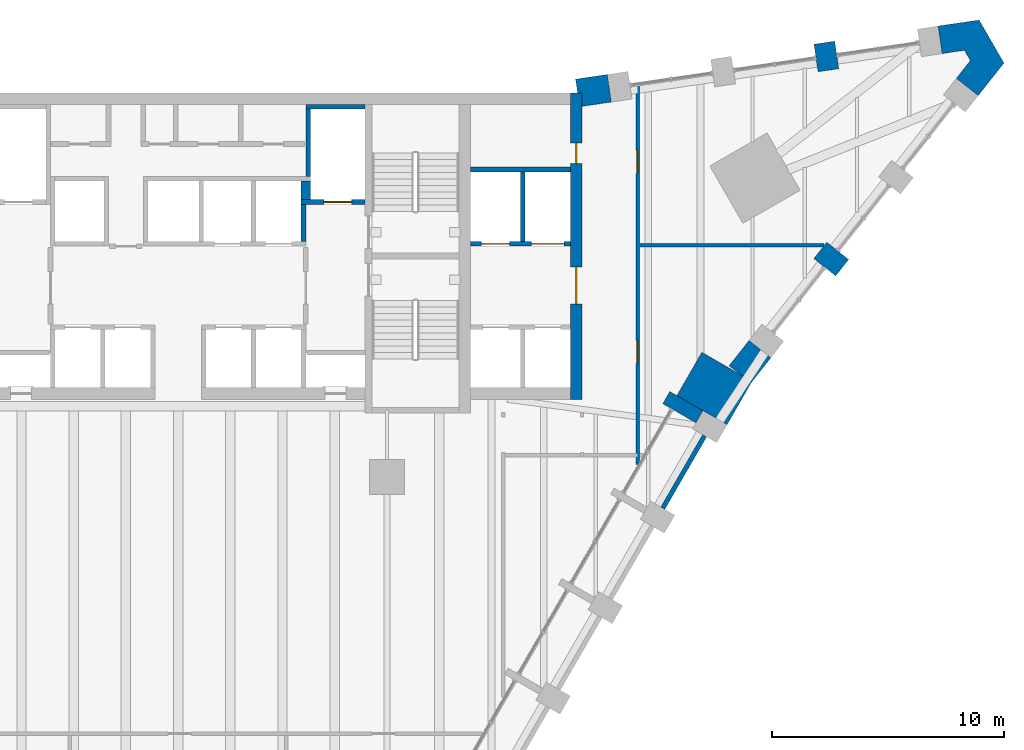
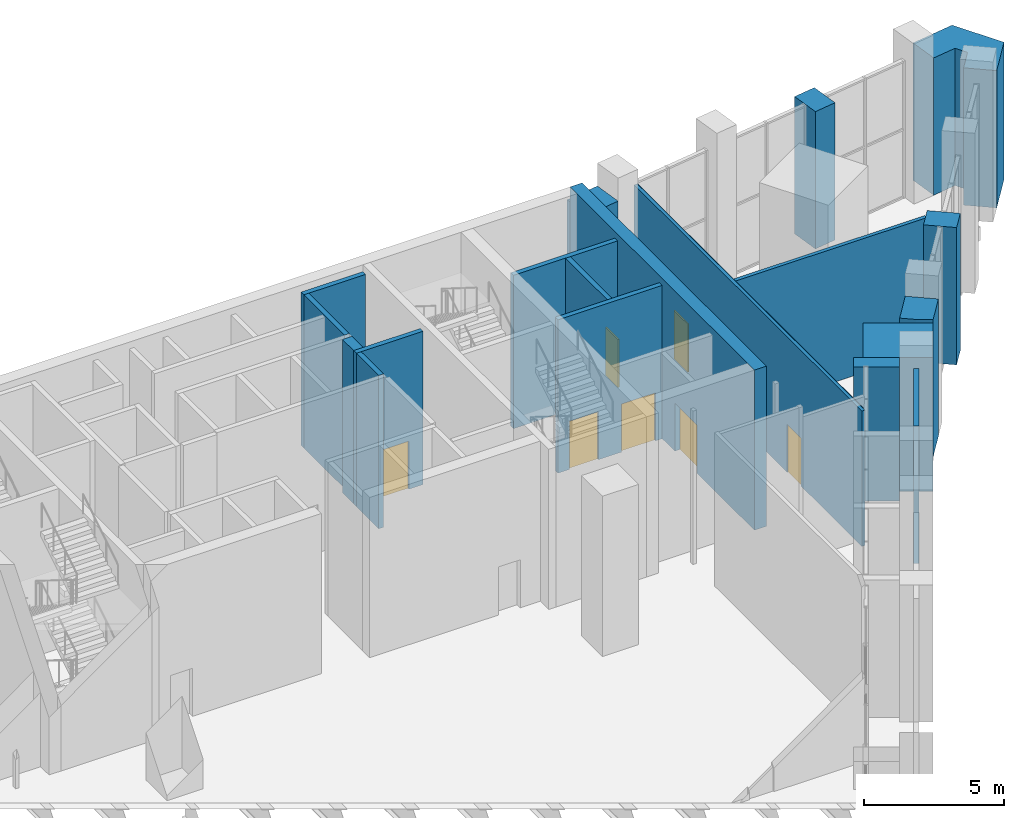
# One storey, part 14 of 17: 20 walls, 7 doors, 7 openings.
"""IFC4 building model written with IfcOpenShell, lengths in metres."""

from ifc_helpers import new_model, si_unit, direction, frame, frame_2d, origin, place, context, subcontext, project, spatial, polyline, rectangle, outline, extrude, material, layer, layer_set, type_object, element, fill, save


model = new_model("IFC4")

# Units and contexts
model_context = context("Model", 3, precision=1e-05, world=origin(), true_north=direction((0.0, 1.0)))
body_context = subcontext(model_context, "Body", "Model", "MODEL_VIEW")
ifc_project = project(units=[si_unit("LENGTHUNIT", "METRE"), si_unit("AREAUNIT", "SQUARE_METRE"), si_unit("VOLUMEUNIT", "CUBIC_METRE"), si_unit("PLANEANGLEUNIT", "RADIAN"), si_unit("MASSUNIT", "GRAM", prefix="KILO")], contexts=[model_context])

# Site, building, storey
site_placement = place(None, origin())
site = spatial("IfcSite", under=ifc_project, at=site_placement, CompositionType="ELEMENT")
building_placement = place(site_placement, origin())
building = spatial("IfcBuilding", under=site, at=building_placement, Name="Calabash Gate Tower", CompositionType="ELEMENT")
storey_placement = place(building_placement, frame((0.0, 0.0, 132.60009765625)))
storey = spatial("IfcBuildingStorey", under=building, at=storey_placement, Name="L31", CompositionType="ELEMENT", Elevation=132.60009765625)

# Walls
ifc_material_1 = material(Name="Terracotta brick masonry, exposed face", Category="masonry")
ifc_layer_1 = layer(ifc_material_1, 2.5)
ifc_layer_set_1 = layer_set([ifc_layer_1], Name="Brick corner mass wall 2500")
wall_type_1 = type_object("IfcWallType", Name="Brick corner mass wall 2500", PredefinedType="SOLIDWALL", material=ifc_layer_set_1)
wall_1_placement = place(storey_placement, origin())
element("IfcWall", 1, at=wall_1_placement, inside=storey, type_object=wall_type_1, Name="Brick corner pier L31 2", PredefinedType="SOLIDWALL", context=body_context, shape_type="SweptSolid", body=[
    extrude(outline(polyline([(22.564697265625, 7.878173828125), (21.486083984375, 6.01025390625), (22.612060546875, 5.360107421875), (22.6123046875, 5.360595703125), (23.651611328125, 4.7607421875), (24.729736328125, 6.628173828125), (22.564697265625, 7.878173828125)])), origin(), (0.0, 0.0, 1.0), 5.85400390625),
])
ifc_material_2 = material(Name="Terracotta brick masonry, exposed face", Category="masonry")
ifc_layer_2 = layer(ifc_material_2, 1.199951171875)
ifc_layer_set_2 = layer_set([ifc_layer_2], Name="Brick end wall 1200")
wall_type_2 = type_object("IfcWallType", Name="Brick end wall 1200", PredefinedType="SOLIDWALL", material=ifc_layer_set_2)
wall_2_placement = place(storey_placement, frame((28.6083984375, 11.5224609375, 0.0), z_axis=(0.0, 0.0, 1.0), x_axis=(-0.784408686564, 0.620244316736, 0.0)))
element("IfcWall", 2, at=wall_2_placement, inside=storey, type_object=wall_type_2, Name="Brick pier L31 wedge3.1", PredefinedType="SOLIDWALL", context=body_context, shape_type="SweptSolid", body=[
    extrude(rectangle(XDim=1.2001953125, YDim=0.89990234375, at=frame_2d((0.60009765625, 0.0))), origin(), (0.0, 0.0, 1.0), 6.0),
])
wall_3_placement = place(storey_placement, frame((27.84033203125, 21.217041015625, 0.0), z_axis=(0.0, 0.0, 1.0), x_axis=(0.145066385332, -0.989421924078, 0.0)))
element("IfcWall", 3, at=wall_3_placement, inside=storey, type_object=wall_type_2, Name="Brick pier L31 wedge5.1", PredefinedType="SOLIDWALL", context=body_context, shape_type="SweptSolid", body=[
    extrude(rectangle(XDim=1.199951171875, YDim=0.89990234375, at=frame_2d((0.60009765625, 0.0))), origin(), (0.0, 0.0, 1.0), 6.0),
])
wall_4_placement = place(storey_placement, origin())
element("IfcWall", 4, at=wall_4_placement, inside=storey, type_object=wall_type_2, Name="Brick end wall L31 1", PredefinedType="SOLIDWALL", context=body_context, shape_type="SweptSolid", body=[
    extrude(outline(polyline([(24.5966796875, 8.38427734375), (23.739501953125, 7.30029296875), (24.2099609375, 6.92822265625), (24.729736328125, 6.628173828125), (24.707763671875, 6.59033203125), (25.537841796875, 7.639892578125), (24.5966796875, 8.38427734375)])), origin(), (0.0, 0.0, 1.0), 6.0),
])
wall_5_placement = place(storey_placement, origin())
element("IfcWall", 5, at=wall_5_placement, inside=storey, type_object=wall_type_2, Name="Brick end wall L31 2", PredefinedType="SOLIDWALL", context=body_context, shape_type="SweptSolid", body=[
    extrude(outline(polyline([(34.13330078125, 20.443359375), (33.52880859375, 19.678955078125), (34.47021484375, 18.9345703125), (35.579833984375, 20.337890625), (34.50830078125, 22.1943359375), (32.73828125, 21.934814453125), (32.912109375, 20.74755859375), (33.876220703125, 20.888916015625), (34.13330078125, 20.443359375)])), origin(), (0.0, 0.0, 1.0), 6.0),
])
wall_6_placement = place(storey_placement, origin())
element("IfcWall", 6, at=wall_6_placement, inside=storey, type_object=wall_type_2, Name="Brick end wall L31 3", PredefinedType="SOLIDWALL", context=body_context, shape_type="SweptSolid", body=[
    extrude(outline(polyline([(17.123046875, 19.646240234375), (17.2099609375, 19.052490234375), (17.39990234375, 19.052490234375), (17.39990234375, 18.473876953125), (18.664306640625, 18.6591796875), (18.490234375, 19.8466796875), (17.123046875, 19.646240234375)])), origin(), (0.0, 0.0, 1.0), 6.0),
])
ifc_material_3 = material(Name="Terracotta brick masonry, exposed face", Category="masonry")
ifc_layer_3 = layer(ifc_material_3, 0.300048828125)
ifc_layer_set_3 = layer_set([ifc_layer_3], Name="Brick loggia cheek wall 300")
wall_type_3 = type_object("IfcWallType", Name="Brick loggia cheek wall 300", PredefinedType="SOLIDWALL", material=ifc_layer_set_3)
wall_7_placement = place(storey_placement, frame((21.032958984375, 5.92529296875, 0.0), z_axis=(0.0, 0.0, 1.0), x_axis=(0.866040211805, -0.499974350878, 0.0)))
element("IfcWall", 7, at=wall_7_placement, inside=storey, type_object=wall_type_3, Name="Loggia cheek L31 SE2.8", PredefinedType="SOLIDWALL", context=body_context, shape_type="SweptSolid", body=[
    extrude(rectangle(XDim=1.64990234375, YDim=0.60009765625, at=frame_2d((0.824951171875, 0.0))), origin(), (0.0, 0.0, 1.0), 5.85400390625),
])

# Wall, openings, doors
ifc_material_4 = material(Name="Concrete C80/95", Category="concrete")
ifc_layer_4 = layer(ifc_material_4, 0.5)
ifc_layer_set_4 = layer_set([ifc_layer_4], Name="Core wall 500 Concrete C80/95")
wall_type_4 = type_object("IfcWallType", Name="Core wall 500 Concrete C80/95", PredefinedType="SHEAR", material=ifc_layer_set_4)
wall_8_placement = place(storey_placement, frame((17.14990234375, 5.8525390625, 0.0), z_axis=(0.0, 0.0, 1.0), x_axis=(0.0, 1.0, 0.0)))
wall_8 = element("IfcWall", 8, at=wall_8_placement, inside=storey, type_object=wall_type_4, Name="Core wall Z2-ENDE L31", PredefinedType="SHEAR", context=body_context, shape_type="SweptSolid", body=[
    extrude(rectangle(XDim=13.199951171875, YDim=0.5, at=frame_2d((6.60009765625, 0.0))), origin(), (0.0, 0.0, 1.0), 7.0),
])
opening_1_placement = place(wall_8_placement, frame((4.10009765625, 0.0, 0.0)))
opening_1 = element("IfcOpeningElement", 9, at=opening_1_placement, cuts=wall_8, Name="Opening L31-016", PredefinedType="OPENING", context=body_context, shape_type="SweptSolid", body=[
    extrude(rectangle(XDim=1.60009765625, YDim=2.10009765625, at=frame_2d((0.800048828125, 1.050048828125))), frame((0.0, 0.260009765625, 0.0), z_axis=(0.0, -1.0, 0.0), x_axis=(1.0, 0.0, 0.0)), (0.0, 0.0, 1.0), 0.52001953125),
])
opening_2_placement = place(wall_8_placement, frame((10.14990234375, 0.0, 0.0)))
opening_2 = element("IfcOpeningElement", 10, at=opening_2_placement, cuts=wall_8, Name="Opening L31-017", PredefinedType="OPENING", context=body_context, shape_type="SweptSolid", body=[
    extrude(rectangle(XDim=0.89990234375, YDim=2.10009765625, at=frame_2d((0.449951171875, 1.050048828125))), frame((0.0, 0.260009765625, 0.0), z_axis=(0.0, -1.0, 0.0), x_axis=(1.0, 0.0, 0.0)), (0.0, 0.0, 1.0), 0.52001953125),
])
ifc_material_5 = material(Name="Steel fire door set with fire-resisting glazing", Category="steel")
door_type_1 = type_object("IfcDoorType", Name="Double fire door D08 1600x2100 FD60", OperationType="DOUBLE_DOOR_SINGLE_SWING", PredefinedType="DOOR", material=ifc_material_5)
door_1_placement = place(opening_1_placement, origin())
door_1 = element("IfcDoor", 11, at=door_1_placement, inside=storey, type_object=door_type_1, Name="Low-rise Lift Lobby E door", OperationType="DOUBLE_DOOR_SINGLE_SWING", OverallHeight=2.10009765625, OverallWidth=1.60009765625, PredefinedType="DOOR", context=body_context, shape_type="SweptSolid", body=[
    extrude(rectangle(XDim=1.60009765625, YDim=2.10009765625, at=frame_2d((0.800048828125, 1.050048828125))), frame((0.0, 0.02490234375, 0.0), z_axis=(0.0, -1.0, 0.0), x_axis=(1.0, 0.0, 0.0)), (0.0, 0.0, 1.0), 0.050048828125),
])
fill(opening_1, door_1)
ifc_material_6 = material(Name="Steel fire door set with fire-resisting glazing", Category="steel")
door_type_2 = type_object("IfcDoorType", Name="Fire door D06 900x2100 FD60", OperationType="NOTDEFINED", PredefinedType="DOOR", material=ifc_material_6)
door_2_placement = place(opening_2_placement, origin())
door_2 = element("IfcDoor", 12, at=door_2_placement, inside=storey, type_object=door_type_2, Name="Meter Room door", OperationType="SINGLE_SWING_LEFT", OverallHeight=2.10009765625, OverallWidth=0.89990234375, PredefinedType="DOOR", context=body_context, shape_type="SweptSolid", body=[
    extrude(rectangle(XDim=0.89990234375, YDim=2.10009765625, at=frame_2d((0.449951171875, 1.050048828125))), frame((0.0, 0.02490234375, 0.0), z_axis=(0.0, -1.0, 0.0), x_axis=(1.0, 0.0, 0.0)), (0.0, 0.0, 1.0), 0.050048828125),
])
fill(opening_2, door_2)

ifc_material_7 = material(Name="Gypsum board on steel studs, mineral wool", Category="steel")
ifc_layer_5 = layer(ifc_material_7, 0.14990234375)
ifc_layer_set_5 = layer_set([ifc_layer_5], Name="Partition 150 gypsum board")
wall_type_5 = type_object("IfcWallType", Name="Partition 150 gypsum board", PredefinedType="PARTITIONING", material=ifc_layer_set_5)
wall_9_placement = place(storey_placement, frame((19.789306640625, 3.05126953125, 0.0), z_axis=(0.0, 0.0, 1.0), x_axis=(0.0, 1.0, 0.0)))
wall_9 = element("IfcWall", 13, at=wall_9_placement, inside=storey, type_object=wall_type_5, Name="Partition", PredefinedType="PARTITIONING", context=body_context, shape_type="SweptSolid", body=[
    extrude(rectangle(XDim=16.29833984375, YDim=0.128662109375, at=frame_2d((8.149169921875, 0.0))), origin(), (0.0, 0.0, 1.0), 5.919921875),
])
opening_3_placement = place(wall_9_placement, frame((12.531005859375, 0.0, 0.0)))
opening_3 = element("IfcOpeningElement", 14, at=opening_3_placement, cuts=wall_9, Name="Opening L31-020", PredefinedType="OPENING", context=body_context, shape_type="SweptSolid", body=[
    extrude(rectangle(XDim=1.0, YDim=2.10009765625, at=frame_2d((0.5, 1.050048828125))), frame((0.0, 0.07421875, 0.0), z_axis=(0.0, -1.0, 0.0), x_axis=(1.0, 0.0, 0.0)), (0.0, 0.0, 1.0), 0.148681640625),
])
opening_4_placement = place(wall_9_placement, frame((4.345947265625, 0.0, 0.0)))
opening_4 = element("IfcOpeningElement", 15, at=opening_4_placement, cuts=wall_9, Name="Opening L31-021", PredefinedType="OPENING", context=body_context, shape_type="SweptSolid", body=[
    extrude(rectangle(XDim=1.0, YDim=2.10009765625, at=frame_2d((0.5, 1.050048828125))), frame((0.0, 0.07421875, 0.0), z_axis=(0.0, -1.0, 0.0), x_axis=(1.0, 0.0, 0.0)), (0.0, 0.0, 1.0), 0.148681640625),
])
ifc_material_8 = material(Name="Steel fire door set with fire-resisting glazing", Category="steel")
door_type_3 = type_object("IfcDoorType", Name="Fire door D11 1000x2100 FD60", OperationType="NOTDEFINED", PredefinedType="DOOR", material=ifc_material_8)
door_3_placement = place(opening_3_placement, origin())
door_3 = element("IfcDoor", 16, at=door_3_placement, inside=storey, type_object=door_type_3, Name="Reception Office door", OperationType="SINGLE_SWING_LEFT", OverallHeight=2.10009765625, OverallWidth=1.0, PredefinedType="DOOR", context=body_context, shape_type="SweptSolid", body=[
    extrude(rectangle(XDim=1.0, YDim=2.10009765625, at=frame_2d((0.5, 1.050048828125))), frame((0.0, 0.02490234375, 0.0), z_axis=(0.0, -1.0, 0.0), x_axis=(1.0, 0.0, 0.0)), (0.0, 0.0, 1.0), 0.050048828125),
])
fill(opening_3, door_3)
door_4_placement = place(opening_4_placement, origin())
door_4 = element("IfcDoor", 17, at=door_4_placement, inside=storey, type_object=door_type_3, Name="Staff Room door", OperationType="SINGLE_SWING_RIGHT", OverallHeight=2.10009765625, OverallWidth=1.0, PredefinedType="DOOR", context=body_context, shape_type="SweptSolid", body=[
    extrude(rectangle(XDim=1.0, YDim=2.10009765625, at=frame_2d((0.5, 1.050048828125))), frame((0.0, 0.02490234375, 0.0), z_axis=(0.0, -1.0, 0.0), x_axis=(1.0, 0.0, 0.0)), (0.0, 0.0, 1.0), 0.050048828125),
])
fill(opening_4, door_4)

# Walls
wall_10_placement = place(storey_placement, frame((19.8642578125, 3.18115234375, 0.0), z_axis=(0.0, 0.0, 1.0), x_axis=(0.0, 1.0, 0.0)))
element("IfcWall", 18, at=wall_10_placement, inside=storey, type_object=wall_type_5, Name="Partition", PredefinedType="PARTITIONING", context=body_context, shape_type="SweptSolid", body=[
    extrude(rectangle(XDim=16.179443359375, YDim=0.021484375, at=frame_2d((8.08984375, 0.0))), origin(), (0.0, 0.0, 1.0), 5.919921875),
])
wall_11_placement = place(storey_placement, frame((19.875, 12.4970703125, 0.0), z_axis=(0.0, 0.0, 1.0), x_axis=(1.0, 0.0, 0.0)))
element("IfcWall", 19, at=wall_11_placement, inside=storey, type_object=wall_type_5, Name="Partition", PredefinedType="PARTITIONING", context=body_context, shape_type="SweptSolid", body=[
    extrude(rectangle(XDim=7.948486328125, YDim=0.14990234375, at=frame_2d((3.97412109375, 0.0))), origin(), (0.0, 0.0, 1.0), 5.85400390625),
])

# Wall, openings, doors
ifc_material_9 = material(Name="Concrete C40/50", Category="concrete")
ifc_layer_6 = layer(ifc_material_9, 0.199951171875)
ifc_layer_set_6 = layer_set([ifc_layer_6], Name="Shaft wall 200 Concrete C40/50")
wall_type_6 = type_object("IfcWallType", Name="Shaft wall 200 Concrete C40/50", PredefinedType="SOLIDWALL", material=ifc_layer_set_6)
wall_12_placement = place(storey_placement, frame((12.60009765625, 12.552490234375, 0.0), z_axis=(0.0, 0.0, 1.0), x_axis=(1.0, 0.0, 0.0)))
wall_12 = element("IfcWall", 20, at=wall_12_placement, inside=storey, type_object=wall_type_6, Name="Shaft wall", PredefinedType="SOLIDWALL", context=body_context, shape_type="SweptSolid", body=[
    extrude(rectangle(XDim=4.2998046875, YDim=0.199951171875, at=frame_2d((2.14990234375, 0.0))), origin(), (0.0, 0.0, 1.0), 6.699951171875),
])
opening_5_placement = place(wall_12_placement, frame((0.47509765625, 0.0, 0.0)))
opening_5 = element("IfcOpeningElement", 21, at=opening_5_placement, cuts=wall_12, Name="Opening LD-SL1", PredefinedType="OPENING", context=body_context, shape_type="SweptSolid", body=[
    extrude(rectangle(XDim=1.199951171875, YDim=2.10009765625, at=frame_2d((0.60009765625, 1.050048828125))), frame((0.0, 0.10986328125, 0.0), z_axis=(0.0, -1.0, 0.0), x_axis=(1.0, 0.0, 0.0)), (0.0, 0.0, 1.0), 0.219970703125),
])
opening_6_placement = place(wall_12_placement, frame((2.625, 0.0, 0.0)))
opening_6 = element("IfcOpeningElement", 22, at=opening_6_placement, cuts=wall_12, Name="Opening LD-GL1", PredefinedType="OPENING", context=body_context, shape_type="SweptSolid", body=[
    extrude(rectangle(XDim=1.39990234375, YDim=2.10009765625, at=frame_2d((0.699951171875, 1.050048828125))), frame((0.0, 0.10986328125, 0.0), z_axis=(0.0, -1.0, 0.0), x_axis=(1.0, 0.0, 0.0)), (0.0, 0.0, 1.0), 0.219970703125),
])
ifc_material_10 = material(Name="Stainless steel sliding door leaves", Category="steel")
door_type_4 = type_object("IfcDoorType", Name="Lift landing door LS3 1200x2100 FD90", OperationType="DOUBLE_DOOR_SLIDING", PredefinedType="DOOR", material=ifc_material_10)
door_5_placement = place(opening_5_placement, origin())
door_5 = element("IfcDoor", 23, at=door_5_placement, inside=storey, type_object=door_type_4, Name="Lift landing door SL1", OperationType="DOUBLE_DOOR_SLIDING", OverallHeight=2.10009765625, OverallWidth=1.199951171875, PredefinedType="DOOR", context=body_context, shape_type="SweptSolid", body=[
    extrude(rectangle(XDim=1.199951171875, YDim=2.10009765625, at=frame_2d((0.60009765625, 1.050048828125))), frame((0.0, 0.02490234375, 0.0), z_axis=(0.0, -1.0, 0.0), x_axis=(1.0, 0.0, 0.0)), (0.0, 0.0, 1.0), 0.050048828125),
])
fill(opening_5, door_5)
ifc_material_11 = material(Name="Stainless steel sliding door leaves", Category="steel")
door_type_5 = type_object("IfcDoorType", Name="Lift landing door LS4 1400x2100 FD90", OperationType="DOUBLE_DOOR_SLIDING", PredefinedType="DOOR", material=ifc_material_11)
door_6_placement = place(opening_6_placement, origin())
door_6 = element("IfcDoor", 24, at=door_6_placement, inside=storey, type_object=door_type_5, Name="Lift landing door GL1", OperationType="DOUBLE_DOOR_SLIDING", OverallHeight=2.10009765625, OverallWidth=1.39990234375, PredefinedType="DOOR", context=body_context, shape_type="SweptSolid", body=[
    extrude(rectangle(XDim=1.39990234375, YDim=2.10009765625, at=frame_2d((0.699951171875, 1.050048828125))), frame((0.0, 0.02490234375, 0.0), z_axis=(0.0, -1.0, 0.0), x_axis=(1.0, 0.0, 0.0)), (0.0, 0.0, 1.0), 0.050048828125),
])
fill(opening_6, door_6)

# Walls
wall_13_placement = place(storey_placement, frame((5.39990234375, 12.652587890625, 0.0), z_axis=(0.0, 0.0, 1.0), x_axis=(0.0, 1.0, 0.0)))
element("IfcWall", 25, at=wall_13_placement, inside=storey, type_object=wall_type_6, Name="Shaft wall", PredefinedType="SOLIDWALL", context=body_context, shape_type="SweptSolid", body=[
    extrude(rectangle(XDim=1.60009765625, YDim=0.199951171875, at=frame_2d((0.800048828125, 0.0))), origin(), (0.0, 0.0, 1.0), 6.699951171875),
])
wall_14_placement = place(storey_placement, frame((14.85009765625, 12.652587890625, 0.0), z_axis=(0.0, 0.0, 1.0), x_axis=(0.0, 1.0, 0.0)))
element("IfcWall", 26, at=wall_14_placement, inside=storey, type_object=wall_type_6, Name="Shaft wall", PredefinedType="SOLIDWALL", context=body_context, shape_type="SweptSolid", body=[
    extrude(rectangle(XDim=3.0, YDim=0.199951171875, at=frame_2d((1.5, 0.0))), origin(), (0.0, 0.0, 1.0), 6.699951171875),
])

# Wall, opening, door
wall_15_placement = place(storey_placement, frame((5.300048828125, 14.3525390625, 0.0), z_axis=(0.0, 0.0, 1.0), x_axis=(1.0, 0.0, 0.0)))
wall_15 = element("IfcWall", 27, at=wall_15_placement, inside=storey, type_object=wall_type_6, Name="Shaft wall", PredefinedType="SOLIDWALL", context=body_context, shape_type="SweptSolid", body=[
    extrude(rectangle(XDim=2.75, YDim=0.199951171875, at=frame_2d((1.375, 0.0))), origin(), (0.0, 0.0, 1.0), 6.699951171875),
])
opening_7_placement = place(wall_15_placement, frame((0.97509765625, 0.0, 0.0)))
opening_7 = element("IfcOpeningElement", 28, at=opening_7_placement, cuts=wall_15, Name="Opening LD-FF2", PredefinedType="OPENING", context=body_context, shape_type="SweptSolid", body=[
    extrude(rectangle(XDim=1.199951171875, YDim=2.10009765625, at=frame_2d((0.60009765625, 1.050048828125))), frame((0.0, 0.10986328125, 0.0), z_axis=(0.0, -1.0, 0.0), x_axis=(1.0, 0.0, 0.0)), (0.0, 0.0, 1.0), 0.219970703125),
])
door_7_placement = place(opening_7_placement, origin())
door_7 = element("IfcDoor", 29, at=door_7_placement, inside=storey, type_object=door_type_4, Name="Lift landing door FF2", OperationType="DOUBLE_DOOR_SLIDING", OverallHeight=2.10009765625, OverallWidth=1.199951171875, PredefinedType="DOOR", context=body_context, shape_type="SweptSolid", body=[
    extrude(rectangle(XDim=1.199951171875, YDim=2.10009765625, at=frame_2d((0.60009765625, 1.050048828125))), frame((0.0, 0.02490234375, 0.0), z_axis=(0.0, -1.0, 0.0), x_axis=(1.0, 0.0, 0.0)), (0.0, 0.0, 1.0), 0.050048828125),
])
fill(opening_7, door_7)

# Walls
wall_16_placement = place(storey_placement, frame((5.5, 14.45263671875, 0.0), z_axis=(0.0, 0.0, 1.0), x_axis=(0.0, 1.0, 0.0)))
element("IfcWall", 30, at=wall_16_placement, inside=storey, type_object=wall_type_6, Name="Shaft wall", PredefinedType="SOLIDWALL", context=body_context, shape_type="SweptSolid", body=[
    extrude(rectangle(XDim=0.800048828125, YDim=0.39990234375, at=frame_2d((0.39990234375, 0.0))), origin(), (0.0, 0.0, 1.0), 6.699951171875),
])
wall_17_placement = place(storey_placement, frame((5.60009765625, 15.45263671875, 0.0), z_axis=(0.0, 0.0, 1.0), x_axis=(0.0, 1.0, 0.0)))
element("IfcWall", 31, at=wall_17_placement, inside=storey, type_object=wall_type_6, Name="Shaft wall", PredefinedType="SOLIDWALL", context=body_context, shape_type="SweptSolid", body=[
    extrude(rectangle(XDim=2.89990234375, YDim=0.199951171875, at=frame_2d((1.449951171875, 0.0))), origin(), (0.0, 0.0, 1.0), 6.699951171875),
])
wall_18_placement = place(storey_placement, frame((12.60009765625, 15.752685546875, 0.0), z_axis=(0.0, 0.0, 1.0), x_axis=(1.0, 0.0, 0.0)))
element("IfcWall", 32, at=wall_18_placement, inside=storey, type_object=wall_type_6, Name="Shaft wall", PredefinedType="SOLIDWALL", context=body_context, shape_type="SweptSolid", body=[
    extrude(rectangle(XDim=4.2998046875, YDim=0.199951171875, at=frame_2d((2.14990234375, 0.0))), origin(), (0.0, 0.0, 1.0), 6.699951171875),
])
wall_19_placement = place(storey_placement, frame((5.5, 18.45263671875, 0.0), z_axis=(0.0, 0.0, 1.0), x_axis=(1.0, 0.0, 0.0)))
element("IfcWall", 33, at=wall_19_placement, inside=storey, type_object=wall_type_6, Name="Shaft wall", PredefinedType="SOLIDWALL", context=body_context, shape_type="SweptSolid", body=[
    extrude(rectangle(XDim=2.550048828125, YDim=0.199951171875, at=frame_2d((1.27490234375, 0.0))), origin(), (0.0, 0.0, 1.0), 6.699951171875),
])
ifc_material_12 = material(Name="Terracotta brick masonry, perforated", Category="masonry")
ifc_layer_7 = layer(ifc_material_12, 0.199951171875)
ifc_layer_set_7 = layer_set([ifc_layer_7], Name="Terracotta jaali screen A")
wall_type_7 = type_object("IfcWallType", Name="Terracotta jaali screen A", PredefinedType="SOLIDWALL", material=ifc_layer_set_7)
wall_20_placement = place(storey_placement, frame((20.881591796875, 1.1630859375, 0.0), z_axis=(0.0, 0.0, 1.0), x_axis=(0.500012057535, 0.866018442252, 0.0)))
element("IfcWall", 34, at=wall_20_placement, inside=storey, type_object=wall_type_7, Name="SCREEN A L31 SE2.8", PredefinedType="SOLIDWALL", context=body_context, shape_type="SweptSolid", body=[
    extrude(rectangle(XDim=3.60009765625, YDim=0.199951171875, at=frame_2d((1.800048828125, 0.0))), origin(), (0.0, 0.0, 1.0), 6.0),
])

save(model, "model.ifc")
